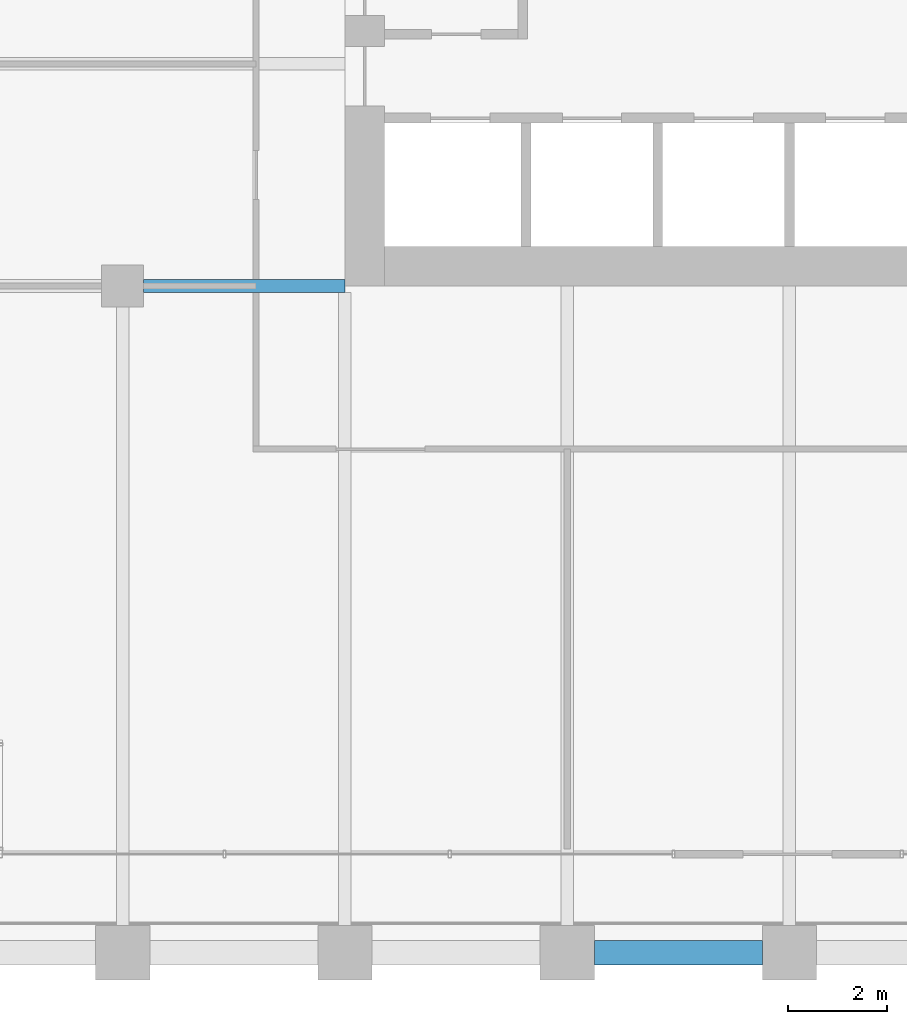
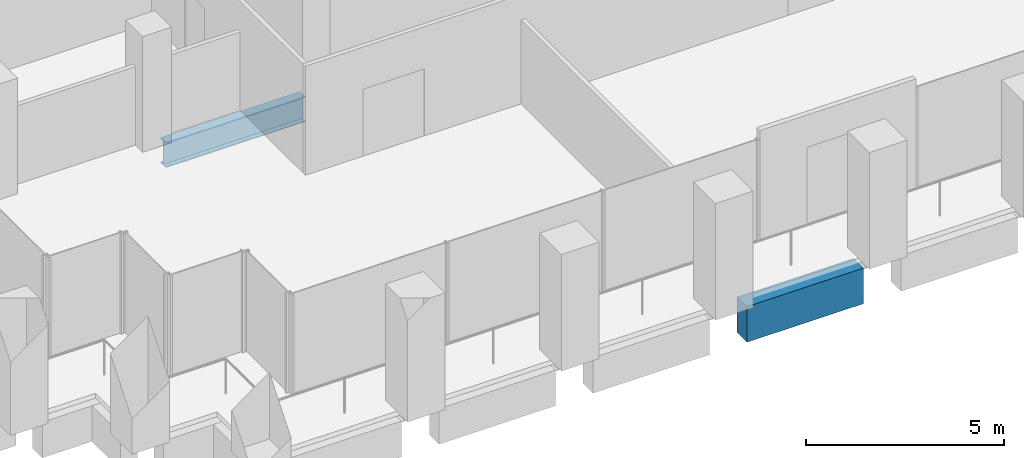
# One storey, part 6 of 56: 2 beams.
"""IFC4 building model written with IfcOpenShell, lengths in metres."""

from ifc_helpers import new_model, si_unit, direction, frame, origin, origin_2d, place, context, subcontext, project, spatial, rectangle, i_section, extrude, material, material_profile, profile_set, type_object, element, save


model = new_model("IFC4")

# Units and contexts
model_context = context("Model", 3, precision=1e-05, world=origin(), true_north=direction((0.0, 1.0)))
body_context = subcontext(model_context, "Body", "Model", "MODEL_VIEW")
ifc_project = project(units=[si_unit("LENGTHUNIT", "METRE"), si_unit("AREAUNIT", "SQUARE_METRE"), si_unit("VOLUMEUNIT", "CUBIC_METRE"), si_unit("PLANEANGLEUNIT", "RADIAN"), si_unit("MASSUNIT", "GRAM", prefix="KILO")], contexts=[model_context])

# Site, building, storey
site_placement = place(None, origin())
site = spatial("IfcSite", under=ifc_project, at=site_placement, CompositionType="ELEMENT")
building_placement = place(site_placement, origin())
building = spatial("IfcBuilding", under=site, at=building_placement, Name="Altepetl Exchange Towers", CompositionType="ELEMENT")
storey_placement = place(building_placement, frame((0.0, 0.0, 83.39990234375)))
storey = spatial("IfcBuildingStorey", under=building, at=storey_placement, Name="L20", CompositionType="ELEMENT", Elevation=83.39990234375)

# Beams
ifc_material_1 = material(Name="Steel S355", Category="steel")
ifc_material_profile_1 = material_profile(ifc_material_1, i_section(OverallWidth=0.26806640625, OverallDepth=0.77392578125, WebThickness=0.015380859375, FlangeThickness=0.025390625, at=origin_2d()), Name="W30X132")
ifc_profile_set_1 = profile_set([ifc_material_profile_1], Name="Steel S355")
beam_type_1 = type_object("IfcBeamType", Name="Girder W30X132", PredefinedType="BEAM", material=ifc_profile_set_1)
beam_1_placement = place(storey_placement, frame((40.5, 40.5, -0.536865234375), z_axis=(-1.0, 0.0, 0.0), x_axis=(0.0, -1.0, 0.0)))
element("IfcBeam", 1, at=beam_1_placement, inside=storey, type_object=beam_type_1, Name="gd:A:L20:009", PredefinedType="BEAM", context=body_context, shape_type="SweptSolid", body=[
    extrude(i_section(OverallWidth=0.26806640625, OverallDepth=0.77392578125, WebThickness=0.015380859375, FlangeThickness=0.025390625, at=origin_2d()), origin(), (0.0, 0.0, 1.0), 4.074951171875),
])
ifc_material_2 = material(Name="Concrete C50/60 precast with cantera blanca facing", Category="concrete")
ifc_material_profile_2 = material_profile(ifc_material_2, rectangle(XDim=0.5, YDim=1.10009765625, at=origin_2d()), Name="500 x 1100")
ifc_profile_set_2 = profile_set([ifc_material_profile_2], Name="Concrete C50/60 precast with cantera blanca facing")
beam_type_2 = type_object("IfcBeamType", Name="Spandrel beam 500x1100 cantera blanca", PredefinedType="SPANDREL", material=ifc_profile_set_2)
beam_2_placement = place(storey_placement, frame((45.550048828125, 27.0, -0.699951171875), z_axis=(1.0, 0.0, 0.0), x_axis=(0.0, 1.0, 0.0)))
element("IfcBeam", 2, at=beam_2_placement, inside=storey, type_object=beam_type_2, Name="sp:A:L20:003", PredefinedType="SPANDREL", context=body_context, shape_type="SweptSolid", body=[
    extrude(rectangle(XDim=0.5, YDim=1.10009765625, at=origin_2d()), origin(), (0.0, 0.0, 1.0), 3.39990234375),
])

save(model, "model.ifc")
